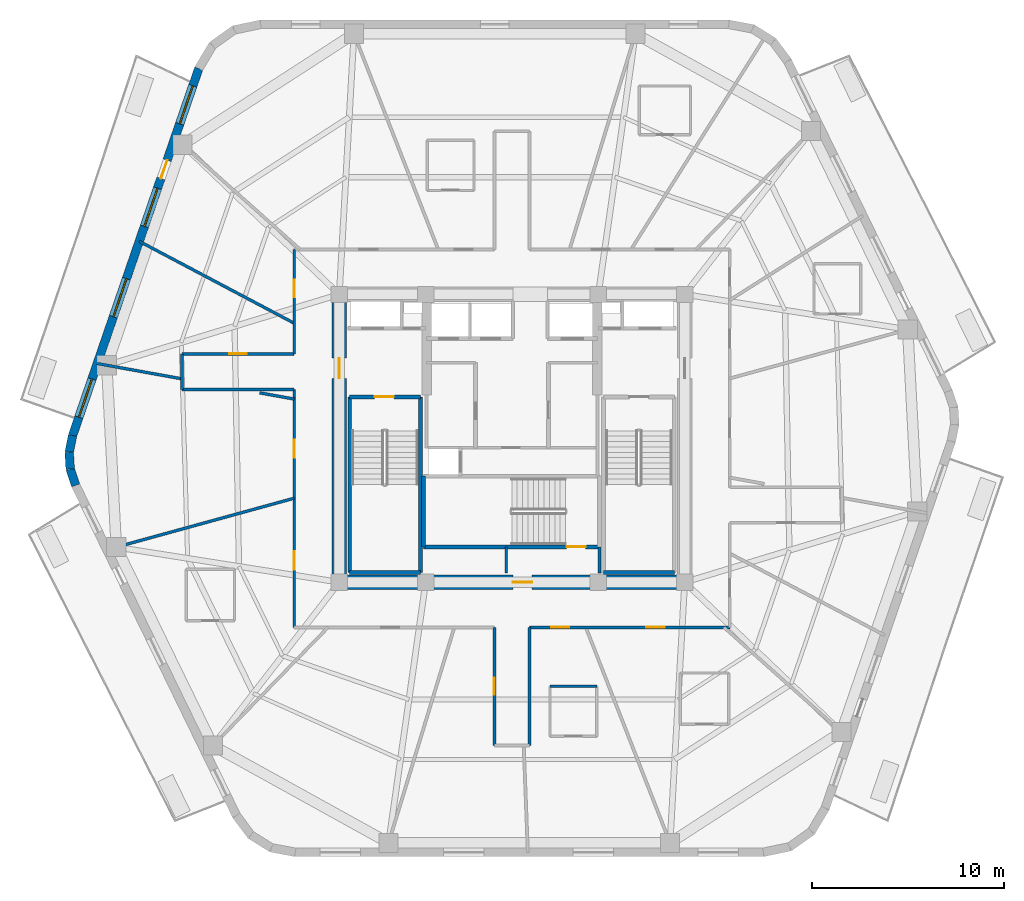
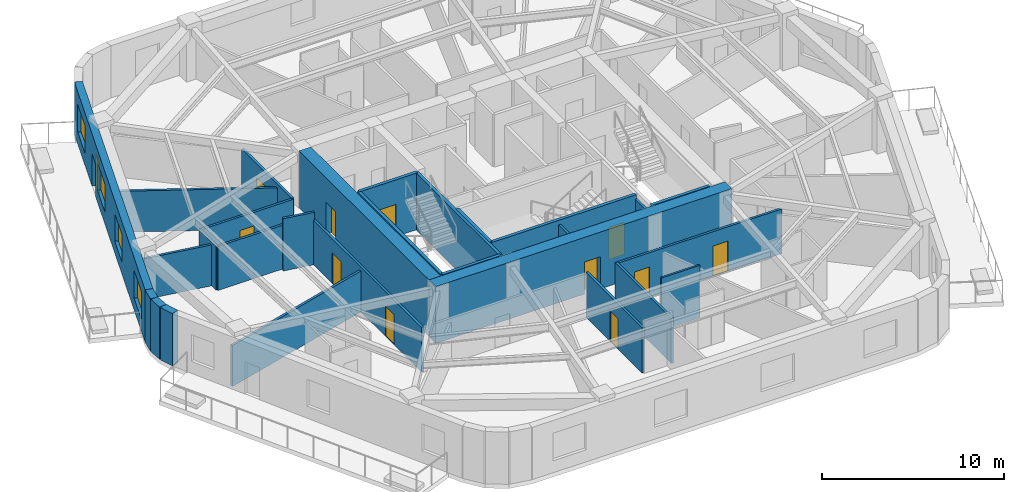
# One storey, part 3 of 9: 28 walls, 12 doors, 4 windows, 16 openings.
"""IFC4 building model written with IfcOpenShell, lengths in metres."""

from ifc_helpers import new_model, si_unit, direction, frame, frame_2d, origin, place, context, subcontext, project, spatial, rectangle, extrude, material, layer, layer_set, type_object, element, fill, save


model = new_model("IFC4")

# Units and contexts
model_context = context("Model", 3, precision=1e-05, world=origin(), true_north=direction((0.0, 1.0)))
body_context = subcontext(model_context, "Body", "Model", "MODEL_VIEW")
ifc_project = project(units=[si_unit("LENGTHUNIT", "METRE"), si_unit("AREAUNIT", "SQUARE_METRE"), si_unit("VOLUMEUNIT", "CUBIC_METRE"), si_unit("PLANEANGLEUNIT", "RADIAN"), si_unit("MASSUNIT", "GRAM", prefix="KILO")], contexts=[model_context])

# Site, building, storey
site_placement = place(None, origin())
site = spatial("IfcSite", under=ifc_project, at=site_placement, CompositionType="ELEMENT")
building_placement = place(site_placement, origin())
building = spatial("IfcBuilding", under=site, at=building_placement, Name="Kilnhurst Terrace Hotel", CompositionType="ELEMENT")
storey_placement = place(building_placement, frame((0.0, 0.0, 233.10009765625)))
storey = spatial("IfcBuildingStorey", under=building, at=storey_placement, Name="L58", CompositionType="ELEMENT", Elevation=233.10009765625)

# Walls
ifc_material_1 = material(Name="Precast concrete C40/50", Category="concrete")
ifc_layer_1 = layer(ifc_material_1, 0.449951171875, Name="Precast concrete C40/50")
ifc_layer_set_1 = layer_set([ifc_layer_1], Name="Precast concrete C40/50")
wall_type_1 = type_object("IfcWallType", Name="WL-BRK-450", PredefinedType="SOLIDWALL", material=ifc_layer_set_1)
wall_1_placement = place(storey_placement, frame((-22.8984375, 0.149658203125, 0.0), z_axis=(0.0, 0.0, 1.0), x_axis=(-0.199055826889, -0.979988151858, 0.0)))
element("IfcWall", 1, at=wall_1_placement, inside=storey, type_object=wall_type_1, Name="L58 Rounded Corner Brick Wall C6.1", PredefinedType="SOLIDWALL", context=body_context, shape_type="SweptSolid", body=[
    extrude(rectangle(XDim=0.89404296875, YDim=0.449951171875, at=frame_2d((0.447021484375, 0.0))), origin(), (0.0, 0.0, 1.0), 3.5),
])
wall_2_placement = place(storey_placement, frame((-23.076416015625, -0.7265625, 0.0), z_axis=(0.0, 0.0, 1.0), x_axis=(0.060805222108, -0.998149650586, 0.0)))
element("IfcWall", 2, at=wall_2_placement, inside=storey, type_object=wall_type_1, Name="L58 Rounded Corner Brick Wall C6.2", PredefinedType="SOLIDWALL", context=body_context, shape_type="SweptSolid", body=[
    extrude(rectangle(XDim=0.87939453125, YDim=0.449951171875, at=frame_2d((0.439697265625, 0.0))), origin(), (0.0, 0.0, 1.0), 3.5),
])
wall_3_placement = place(storey_placement, frame((-23.02294921875, -1.604248046875, 0.0), z_axis=(0.0, 0.0, 1.0), x_axis=(0.316801227695, -0.948491951537, 0.0)))
element("IfcWall", 3, at=wall_3_placement, inside=storey, type_object=wall_type_1, Name="L58 Rounded Corner Brick Wall C6.3", PredefinedType="SOLIDWALL", context=body_context, shape_type="SweptSolid", body=[
    extrude(rectangle(XDim=0.89404296875, YDim=0.449951171875, at=frame_2d((0.447021484375, 0.0))), origin(), (0.0, 0.0, 1.0), 3.5),
])

# Wall, openings, door, windows
wall_4_placement = place(storey_placement, frame((-16.323974609375, 19.275146484375, 0.0), z_axis=(0.0, 0.0, 1.0), x_axis=(-0.325083142304, -0.945685439557, 0.0)))
wall_4 = element("IfcWall", 4, at=wall_4_placement, inside=storey, type_object=wall_type_1, Name="L58 Exterior Brick Facade Wall F5", PredefinedType="SOLIDWALL", context=body_context, shape_type="SweptSolid", body=[
    extrude(rectangle(XDim=20.223876953125, YDim=0.449951171875, at=frame_2d((10.11181640625, 0.0))), origin(), (0.0, 0.0, 1.0), 3.5),
])
opening_1_placement = place(wall_4_placement, frame((5.06201171875, 0.0, 0.0)))
opening_1 = element("IfcOpeningElement", 5, at=opening_1_placement, cuts=wall_4, Name="Opening BD-1000", PredefinedType="OPENING", context=body_context, shape_type="SweptSolid", body=[
    extrude(rectangle(XDim=1.0, YDim=2.14990234375, at=frame_2d((0.5, 1.074951171875))), frame((0.0, 0.23486328125, 0.0), z_axis=(0.0, -1.0, 0.0), x_axis=(1.0, 0.0, 0.0)), (0.0, 0.0, 1.0), 0.469970703125),
])
opening_2_placement = place(wall_4_placement, frame((0.952880859375, 0.0, 0.800048828125)))
opening_2 = element("IfcOpeningElement", 6, at=opening_2_placement, cuts=wall_4, Name="Opening W-04", PredefinedType="OPENING", context=body_context, shape_type="SweptSolid", body=[
    extrude(rectangle(XDim=2.10009765625, YDim=1.85009765625, at=frame_2d((1.050048828125, 0.925048828125))), frame((0.0, 0.23486328125, 0.0), z_axis=(0.0, -1.0, 0.0), x_axis=(1.0, 0.0, 0.0)), (0.0, 0.0, 1.0), 0.469970703125),
])
opening_3_placement = place(wall_4_placement, frame((6.60400390625, 0.0, 0.800048828125)))
opening_3 = element("IfcOpeningElement", 7, at=opening_3_placement, cuts=wall_4, Name="Opening W-04", PredefinedType="OPENING", context=body_context, shape_type="SweptSolid", body=[
    extrude(rectangle(XDim=2.10009765625, YDim=1.85009765625, at=frame_2d((1.050048828125, 0.925048828125))), frame((0.0, 0.23486328125, 0.0), z_axis=(0.0, -1.0, 0.0), x_axis=(1.0, 0.0, 0.0)), (0.0, 0.0, 1.0), 0.469970703125),
])
opening_4_placement = place(wall_4_placement, frame((11.5849609375, 0.0, 0.800048828125)))
opening_4 = element("IfcOpeningElement", 8, at=opening_4_placement, cuts=wall_4, Name="Opening W-04", PredefinedType="OPENING", context=body_context, shape_type="SweptSolid", body=[
    extrude(rectangle(XDim=2.10009765625, YDim=1.85009765625, at=frame_2d((1.050048828125, 0.925048828125))), frame((0.0, 0.23486328125, 0.0), z_axis=(0.0, -1.0, 0.0), x_axis=(1.0, 0.0, 0.0)), (0.0, 0.0, 1.0), 0.469970703125),
])
opening_5_placement = place(wall_4_placement, frame((17.117919921875, 0.0, 0.800048828125)))
opening_5 = element("IfcOpeningElement", 9, at=opening_5_placement, cuts=wall_4, Name="Opening W-04", PredefinedType="OPENING", context=body_context, shape_type="SweptSolid", body=[
    extrude(rectangle(XDim=2.10009765625, YDim=1.85009765625, at=frame_2d((1.050048828125, 0.925048828125))), frame((0.0, 0.23486328125, 0.0), z_axis=(0.0, -1.0, 0.0), x_axis=(1.0, 0.0, 0.0)), (0.0, 0.0, 1.0), 0.469970703125),
])
ifc_material_2 = material(Name="Thermally Broken Bronze Aluminium Alloy 6063-T6 and Laminated Glass", Category="aluminium")
door_type_1 = type_object("IfcDoorType", Name="DR-EXT-BAL-1000", OperationType="NOTDEFINED", PredefinedType="DOOR", material=ifc_material_2)
door_1_placement = place(opening_1_placement, origin())
door_1 = element("IfcDoor", 10, at=door_1_placement, inside=storey, type_object=door_type_1, Name="L58 Planted Balcony Door BAL-L2A", OperationType="SINGLE_SWING_LEFT", OverallHeight=2.14990234375, OverallWidth=1.0, PredefinedType="DOOR", context=body_context, shape_type="SweptSolid", body=[
    extrude(rectangle(XDim=1.0, YDim=2.14990234375, at=frame_2d((0.5, 1.074951171875))), frame((0.0, 0.02490234375, 0.0), z_axis=(0.0, -1.0, 0.0), x_axis=(1.0, 0.0, 0.0)), (0.0, 0.0, 1.0), 0.050048828125),
])
fill(opening_1, door_1)
ifc_material_3 = material(Name="Thermally Broken Bronze Aluminium Alloy 6063-T6 and Low-E Glass", Category="aluminium")
window_type = type_object("IfcWindowType", Name="WIN-2100X1850", PartitioningType="SINGLE_PANEL", PredefinedType="WINDOW", material=ifc_material_3)
window_1_placement = place(opening_2_placement, origin())
window_1 = element("IfcWindow", 11, at=window_1_placement, inside=storey, type_object=window_type, Name="L58 Deep-Set Masonry Window F5.1", OverallHeight=1.85009765625, OverallWidth=2.10009765625, PartitioningType="SINGLE_PANEL", PredefinedType="WINDOW", context=body_context, shape_type="SweptSolid", body=[
    extrude(rectangle(XDim=2.10009765625, YDim=1.85009765625, at=frame_2d((1.050048828125, 0.925048828125))), frame((0.0, 0.030029296875, 0.0), z_axis=(0.0, -1.0, 0.0), x_axis=(1.0, 0.0, 0.0)), (0.0, 0.0, 1.0), 0.06005859375),
])
fill(opening_2, window_1)
window_2_placement = place(opening_3_placement, origin())
window_2 = element("IfcWindow", 12, at=window_2_placement, inside=storey, type_object=window_type, Name="L58 Deep-Set Masonry Window F5.2", OverallHeight=1.85009765625, OverallWidth=2.10009765625, PartitioningType="SINGLE_PANEL", PredefinedType="WINDOW", context=body_context, shape_type="SweptSolid", body=[
    extrude(rectangle(XDim=2.10009765625, YDim=1.85009765625, at=frame_2d((1.050048828125, 0.925048828125))), frame((0.0, 0.030029296875, 0.0), z_axis=(0.0, -1.0, 0.0), x_axis=(1.0, 0.0, 0.0)), (0.0, 0.0, 1.0), 0.06005859375),
])
fill(opening_3, window_2)
window_3_placement = place(opening_4_placement, origin())
window_3 = element("IfcWindow", 13, at=window_3_placement, inside=storey, type_object=window_type, Name="L58 Deep-Set Masonry Window F5.3", OverallHeight=1.85009765625, OverallWidth=2.10009765625, PartitioningType="SINGLE_PANEL", PredefinedType="WINDOW", context=body_context, shape_type="SweptSolid", body=[
    extrude(rectangle(XDim=2.10009765625, YDim=1.85009765625, at=frame_2d((1.050048828125, 0.925048828125))), frame((0.0, 0.030029296875, 0.0), z_axis=(0.0, -1.0, 0.0), x_axis=(1.0, 0.0, 0.0)), (0.0, 0.0, 1.0), 0.06005859375),
])
fill(opening_4, window_3)
window_4_placement = place(opening_5_placement, origin())
window_4 = element("IfcWindow", 14, at=window_4_placement, inside=storey, type_object=window_type, Name="L58 Deep-Set Masonry Window F5.4", OverallHeight=1.85009765625, OverallWidth=2.10009765625, PartitioningType="SINGLE_PANEL", PredefinedType="WINDOW", context=body_context, shape_type="SweptSolid", body=[
    extrude(rectangle(XDim=2.10009765625, YDim=1.85009765625, at=frame_2d((1.050048828125, 0.925048828125))), frame((0.0, 0.030029296875, 0.0), z_axis=(0.0, -1.0, 0.0), x_axis=(1.0, 0.0, 0.0)), (0.0, 0.0, 1.0), 0.06005859375),
])
fill(opening_5, window_4)

# Wall, openings, doors
ifc_material_4 = material(Name="Acoustic Double-Gypsum Corridor Partition Assembly")
ifc_layer_2 = layer(ifc_material_4, 0.14990234375, Name="Acoustic Double-Gypsum Corridor Partition Assembly")
ifc_layer_set_2 = layer_set([ifc_layer_2], Name="Acoustic Double-Gypsum Corridor Partition Assembly")
wall_type_2 = type_object("IfcWallType", Name="WL-COR-150", PredefinedType="PARTITIONING", material=ifc_layer_set_2)
wall_5_placement = place(storey_placement, frame((-11.35009765625, -9.85009765625, 0.0), z_axis=(0.0, 0.0, 1.0), x_axis=(0.0, 1.0, 0.0)))
wall_5 = element("IfcWall", 15, at=wall_5_placement, inside=storey, type_object=wall_type_2, Name="L58 Interior Wall WL-L58-COR-01", PredefinedType="PARTITIONING", context=body_context, shape_type="SweptSolid", body=[
    extrude(rectangle(XDim=12.400146484375, YDim=0.14990234375, at=frame_2d((6.2001953125, 0.0))), origin(), (0.0, 0.0, 1.0), 2.989990234375),
])
opening_6_placement = place(wall_5_placement, frame((8.8349609375, 0.0, 0.0)))
opening_6 = element("IfcOpeningElement", 16, at=opening_6_placement, cuts=wall_5, Name="Opening D-60B", PredefinedType="OPENING", context=body_context, shape_type="SweptSolid", body=[
    extrude(rectangle(XDim=0.949951171875, YDim=2.030029296875, at=frame_2d((0.47509765625, 1.01513671875))), frame((0.0, 0.0849609375, 0.0), z_axis=(0.0, -1.0, 0.0), x_axis=(1.0, 0.0, 0.0)), (0.0, 0.0, 1.0), 0.169921875),
])
opening_7_placement = place(wall_5_placement, frame((3.010009765625, 0.0, 0.0)))
opening_7 = element("IfcOpeningElement", 17, at=opening_7_placement, cuts=wall_5, Name="Opening D-60B", PredefinedType="OPENING", context=body_context, shape_type="SweptSolid", body=[
    extrude(rectangle(XDim=0.949951171875, YDim=2.030029296875, at=frame_2d((0.47509765625, 1.01513671875))), frame((0.0, 0.0849609375, 0.0), z_axis=(0.0, -1.0, 0.0), x_axis=(1.0, 0.0, 0.0)), (0.0, 0.0, 1.0), 0.169921875),
])
ifc_material_5 = material(Name="Acoustic Walnut Veneer Solid-Core Fire Door")
door_type_2 = type_object("IfcDoorType", Name="DR-FD60-950", OperationType="NOTDEFINED", PredefinedType="DOOR", material=ifc_material_5)
door_2_placement = place(opening_6_placement, origin())
door_2 = element("IfcDoor", 18, at=door_2_placement, inside=storey, type_object=door_type_2, Name="L58 Private Dining Room Door", OperationType="SINGLE_SWING_LEFT", OverallHeight=2.030029296875, OverallWidth=0.949951171875, PredefinedType="DOOR", context=body_context, shape_type="SweptSolid", body=[
    extrude(rectangle(XDim=0.949951171875, YDim=2.030029296875, at=frame_2d((0.47509765625, 1.01513671875))), frame((0.0, 0.02490234375, 0.0), z_axis=(0.0, -1.0, 0.0), x_axis=(1.0, 0.0, 0.0)), (0.0, 0.0, 1.0), 0.050048828125),
])
fill(opening_6, door_2)
door_3_placement = place(opening_7_placement, origin())
door_3 = element("IfcDoor", 19, at=door_3_placement, inside=storey, type_object=door_type_2, Name="L58 Executive Suite Entry Door 10", OperationType="SINGLE_SWING_RIGHT", OverallHeight=2.030029296875, OverallWidth=0.949951171875, PredefinedType="DOOR", context=body_context, shape_type="SweptSolid", body=[
    extrude(rectangle(XDim=0.949951171875, YDim=2.030029296875, at=frame_2d((0.47509765625, 1.01513671875))), frame((0.0, 0.02490234375, 0.0), z_axis=(0.0, -1.0, 0.0), x_axis=(1.0, 0.0, 0.0)), (0.0, 0.0, 1.0), 0.050048828125),
])
fill(opening_7, door_3)

# Walls
wall_6_placement = place(storey_placement, frame((-11.35009765625, 2.550048828125, 0.0), z_axis=(0.0, 0.0, 1.0), x_axis=(-1.0, 0.0, 0.0)))
element("IfcWall", 20, at=wall_6_placement, inside=storey, type_object=wall_type_2, Name="L58 Interior Wall WL-L58-COR-02", PredefinedType="PARTITIONING", context=body_context, shape_type="SweptSolid", body=[
    extrude(rectangle(XDim=5.849853515625, YDim=0.14990234375, at=frame_2d((2.9248046875, 0.0))), origin(), (0.0, 0.0, 1.0), 2.940185546875),
])
wall_7_placement = place(storey_placement, frame((-17.199951171875, 2.550048828125, 0.0), z_axis=(0.0, 0.0, 1.0), x_axis=(0.0, 1.0, 0.0)))
element("IfcWall", 21, at=wall_7_placement, inside=storey, type_object=wall_type_2, Name="L58 Interior Wall WL-L58-COR-03", PredefinedType="PARTITIONING", context=body_context, shape_type="SweptSolid", body=[
    extrude(rectangle(XDim=1.849853515625, YDim=0.14990234375, at=frame_2d((0.9248046875, 0.0))), origin(), (0.0, 0.0, 1.0), 2.940185546875),
])

# Wall, opening, door
wall_8_placement = place(storey_placement, frame((-17.199951171875, 4.39990234375, 0.0), z_axis=(0.0, 0.0, 1.0), x_axis=(1.0, 0.0, 0.0)))
wall_8 = element("IfcWall", 22, at=wall_8_placement, inside=storey, type_object=wall_type_2, Name="L58 Interior Wall WL-L58-COR-04", PredefinedType="PARTITIONING", context=body_context, shape_type="SweptSolid", body=[
    extrude(rectangle(XDim=5.849853515625, YDim=0.14990234375, at=frame_2d((2.9248046875, 0.0))), origin(), (0.0, 0.0, 1.0), 2.940185546875),
])
opening_8_placement = place(wall_8_placement, frame((2.47509765625, 0.0, 0.0)))
opening_8 = element("IfcOpeningElement", 23, at=opening_8_placement, cuts=wall_8, Name="Opening D-60C", PredefinedType="OPENING", context=body_context, shape_type="SweptSolid", body=[
    extrude(rectangle(XDim=0.89990234375, YDim=2.030029296875, at=frame_2d((0.449951171875, 1.01513671875))), frame((0.0, 0.0849609375, 0.0), z_axis=(0.0, -1.0, 0.0), x_axis=(1.0, 0.0, 0.0)), (0.0, 0.0, 1.0), 0.169921875),
])
ifc_material_6 = material(Name="Painted Solid-Core Service Fire Door")
door_type_3 = type_object("IfcDoorType", Name="DR-FD60-900", OperationType="NOTDEFINED", PredefinedType="DOOR", material=ifc_material_6)
door_4_placement = place(opening_8_placement, origin())
door_4 = element("IfcDoor", 24, at=door_4_placement, inside=storey, type_object=door_type_3, Name="L58 Private Meeting Salon Door 8", OperationType="SINGLE_SWING_RIGHT", OverallHeight=2.030029296875, OverallWidth=0.89990234375, PredefinedType="DOOR", context=body_context, shape_type="SweptSolid", body=[
    extrude(rectangle(XDim=0.89990234375, YDim=2.030029296875, at=frame_2d((0.449951171875, 1.01513671875))), frame((0.0, 0.02490234375, 0.0), z_axis=(0.0, -1.0, 0.0), x_axis=(1.0, 0.0, 0.0)), (0.0, 0.0, 1.0), 0.050048828125),
])
fill(opening_8, door_4)

wall_9_placement = place(storey_placement, frame((-11.35009765625, 4.39990234375, 0.0), z_axis=(0.0, 0.0, 1.0), x_axis=(0.0, 1.0, 0.0)))
wall_9 = element("IfcWall", 25, at=wall_9_placement, inside=storey, type_object=wall_type_2, Name="L58 Interior Wall WL-L58-COR-05", PredefinedType="PARTITIONING", context=body_context, shape_type="SweptSolid", body=[
    extrude(rectangle(XDim=5.4501953125, YDim=0.14990234375, at=frame_2d((2.72509765625, 0.0))), origin(), (0.0, 0.0, 1.0), 2.989990234375),
])
opening_9_placement = place(wall_9_placement, frame((2.955078125, 0.0, 0.0)))
opening_9 = element("IfcOpeningElement", 26, at=opening_9_placement, cuts=wall_9, Name="Opening D-60C", PredefinedType="OPENING", context=body_context, shape_type="SweptSolid", body=[
    extrude(rectangle(XDim=0.89990234375, YDim=2.030029296875, at=frame_2d((0.449951171875, 1.01513671875))), frame((0.0, 0.0849609375, 0.0), z_axis=(0.0, -1.0, 0.0), x_axis=(1.0, 0.0, 0.0)), (0.0, 0.0, 1.0), 0.169921875),
])
door_5_placement = place(opening_9_placement, origin())
door_5 = element("IfcDoor", 27, at=door_5_placement, inside=storey, type_object=door_type_3, Name="L58 Botanical Reading Lounge Door 7", OperationType="SINGLE_SWING_LEFT", OverallHeight=2.030029296875, OverallWidth=0.89990234375, PredefinedType="DOOR", context=body_context, shape_type="SweptSolid", body=[
    extrude(rectangle(XDim=0.89990234375, YDim=2.030029296875, at=frame_2d((0.449951171875, 1.01513671875))), frame((0.0, 0.02490234375, 0.0), z_axis=(0.0, -1.0, 0.0), x_axis=(1.0, 0.0, 0.0)), (0.0, 0.0, 1.0), 0.050048828125),
])
fill(opening_9, door_5)

# Wall, openings, doors
wall_10_placement = place(storey_placement, frame((11.35009765625, -9.85009765625, 0.0), z_axis=(0.0, 0.0, 1.0), x_axis=(-1.0, 0.0, 0.0)))
wall_10 = element("IfcWall", 28, at=wall_10_placement, inside=storey, type_object=wall_type_2, Name="L58 Interior Wall WL-L58-COR-16", PredefinedType="PARTITIONING", context=body_context, shape_type="SweptSolid", body=[
    extrude(rectangle(XDim=10.43017578125, YDim=0.14990234375, at=frame_2d((5.215087890625, 0.0))), origin(), (0.0, 0.0, 1.0), 2.989990234375),
])
opening_10_placement = place(wall_10_placement, frame((8.362060546875, 0.0, 0.0)))
opening_10 = element("IfcOpeningElement", 29, at=opening_10_placement, cuts=wall_10, Name="Opening D-60B", PredefinedType="OPENING", context=body_context, shape_type="SweptSolid", body=[
    extrude(rectangle(XDim=0.949951171875, YDim=2.030029296875, at=frame_2d((0.47509765625, 1.01513671875))), frame((0.0, 0.0849609375, 0.0), z_axis=(0.0, -1.0, 0.0), x_axis=(1.0, 0.0, 0.0)), (0.0, 0.0, 1.0), 0.169921875),
])
opening_11_placement = place(wall_10_placement, frame((3.39599609375, 0.0, 0.0)))
opening_11 = element("IfcOpeningElement", 30, at=opening_11_placement, cuts=wall_10, Name="Opening D-60B", PredefinedType="OPENING", context=body_context, shape_type="SweptSolid", body=[
    extrude(rectangle(XDim=0.949951171875, YDim=2.030029296875, at=frame_2d((0.47509765625, 1.01513671875))), frame((0.0, 0.0849609375, 0.0), z_axis=(0.0, -1.0, 0.0), x_axis=(1.0, 0.0, 0.0)), (0.0, 0.0, 1.0), 0.169921875),
])
door_6_placement = place(opening_10_placement, origin())
door_6 = element("IfcDoor", 31, at=door_6_placement, inside=storey, type_object=door_type_2, Name="L58 Guest Room Entry Door 13", OperationType="SINGLE_SWING_LEFT", OverallHeight=2.030029296875, OverallWidth=0.949951171875, PredefinedType="DOOR", context=body_context, shape_type="SweptSolid", body=[
    extrude(rectangle(XDim=0.949951171875, YDim=2.030029296875, at=frame_2d((0.47509765625, 1.01513671875))), frame((0.0, 0.02490234375, 0.0), z_axis=(0.0, -1.0, 0.0), x_axis=(1.0, 0.0, 0.0)), (0.0, 0.0, 1.0), 0.050048828125),
])
fill(opening_10, door_6)
door_7_placement = place(opening_11_placement, origin())
door_7 = element("IfcDoor", 32, at=door_7_placement, inside=storey, type_object=door_type_2, Name="L58 Executive Suite Entry Door 14", OperationType="SINGLE_SWING_RIGHT", OverallHeight=2.030029296875, OverallWidth=0.949951171875, PredefinedType="DOOR", context=body_context, shape_type="SweptSolid", body=[
    extrude(rectangle(XDim=0.949951171875, YDim=2.030029296875, at=frame_2d((0.47509765625, 1.01513671875))), frame((0.0, 0.02490234375, 0.0), z_axis=(0.0, -1.0, 0.0), x_axis=(1.0, 0.0, 0.0)), (0.0, 0.0, 1.0), 0.050048828125),
])
fill(opening_11, door_7)

# Wall
wall_11_placement = place(storey_placement, frame((0.919921875, -9.85009765625, 0.0), z_axis=(0.0, 0.0, 1.0), x_axis=(0.0, -1.0, 0.0)))
element("IfcWall", 33, at=wall_11_placement, inside=storey, type_object=wall_type_2, Name="L58 Interior Wall WL-L58-COR-17", PredefinedType="PARTITIONING", context=body_context, shape_type="SweptSolid", body=[
    extrude(rectangle(XDim=6.14990234375, YDim=0.14990234375, at=frame_2d((3.074951171875, 0.0))), origin(), (0.0, 0.0, 1.0), 3.0263671875),
])

# Wall, opening, door
wall_12_placement = place(storey_placement, frame((-0.919921875, -16.0, 0.0), z_axis=(0.0, 0.0, 1.0), x_axis=(0.0, 1.0, 0.0)))
wall_12 = element("IfcWall", 34, at=wall_12_placement, inside=storey, type_object=wall_type_2, Name="L58 Interior Wall WL-L58-COR-19", PredefinedType="PARTITIONING", context=body_context, shape_type="SweptSolid", body=[
    extrude(rectangle(XDim=6.14990234375, YDim=0.14990234375, at=frame_2d((3.074951171875, 0.0))), origin(), (0.0, 0.0, 1.0), 3.0263671875),
])
opening_12_placement = place(wall_12_placement, frame((2.625, 0.0, 0.0)))
opening_12 = element("IfcOpeningElement", 35, at=opening_12_placement, cuts=wall_12, Name="Opening D-60C", PredefinedType="OPENING", context=body_context, shape_type="SweptSolid", body=[
    extrude(rectangle(XDim=0.89990234375, YDim=2.030029296875, at=frame_2d((0.449951171875, 1.01513671875))), frame((0.0, 0.0849609375, 0.0), z_axis=(0.0, -1.0, 0.0), x_axis=(1.0, 0.0, 0.0)), (0.0, 0.0, 1.0), 0.169921875),
])
door_8_placement = place(opening_12_placement, origin())
door_8 = element("IfcDoor", 36, at=door_8_placement, inside=storey, type_object=door_type_3, Name="L58 Wellness Consultation Room Door 12", OperationType="SINGLE_SWING_RIGHT", OverallHeight=2.030029296875, OverallWidth=0.89990234375, PredefinedType="DOOR", context=body_context, shape_type="SweptSolid", body=[
    extrude(rectangle(XDim=0.89990234375, YDim=2.030029296875, at=frame_2d((0.449951171875, 1.01513671875))), frame((0.0, 0.02490234375, 0.0), z_axis=(0.0, -1.0, 0.0), x_axis=(1.0, 0.0, 0.0)), (0.0, 0.0, 1.0), 0.050048828125),
])
fill(opening_12, door_8)

ifc_material_7 = material(Name="Concrete C60/75", Category="concrete")
ifc_layer_3 = layer(ifc_material_7, 0.75, Name="Concrete C60/75")
ifc_layer_set_3 = layer_set([ifc_layer_3], Name="Concrete C60/75")
wall_type_3 = type_object("IfcWallType", Name="WL-CORE-750", PredefinedType="SHEAR", material=ifc_layer_set_3)
wall_13_placement = place(storey_placement, frame((-9.375, -7.5, 0.0), z_axis=(0.0, 0.0, 1.0), x_axis=(1.0, 0.0, 0.0)))
wall_13 = element("IfcWall", 37, at=wall_13_placement, inside=storey, type_object=wall_type_3, Name="L58 Core South Shear Wall", PredefinedType="SHEAR", context=body_context, shape_type="SweptSolid", body=[
    extrude(rectangle(XDim=18.75, YDim=0.75, at=frame_2d((9.375, 0.0))), origin(), (0.0, 0.0, 1.0), 3.7998046875),
])
opening_13_placement = place(wall_13_placement, frame((9.425048828125, 0.0, 0.0)))
opening_13 = element("IfcOpeningElement", 38, at=opening_13_placement, cuts=wall_13, Name="Opening D-90B", PredefinedType="OPENING", context=body_context, shape_type="SweptSolid", body=[
    extrude(rectangle(XDim=1.0, YDim=2.14990234375, at=frame_2d((0.5, 1.074951171875))), frame((0.0, 0.385009765625, 0.0), z_axis=(0.0, -1.0, 0.0), x_axis=(1.0, 0.0, 0.0)), (0.0, 0.0, 1.0), 0.77001953125),
])
ifc_material_8 = material(Name="Painted Hollow Metal Steel ASTM A36 Fire Door", Category="steel")
door_type_4 = type_object("IfcDoorType", Name="DR-FD90-1000", OperationType="NOTDEFINED", PredefinedType="DOOR", material=ifc_material_8)
door_9_placement = place(opening_13_placement, origin())
door_9 = element("IfcDoor", 39, at=door_9_placement, inside=storey, type_object=door_type_4, Name="L58 Stair ST-3 Corridor Door", OperationType="SINGLE_SWING_RIGHT", OverallHeight=2.14990234375, OverallWidth=1.0, PredefinedType="DOOR", context=body_context, shape_type="SweptSolid", body=[
    extrude(rectangle(XDim=1.0, YDim=2.14990234375, at=frame_2d((0.5, 1.074951171875))), frame((0.0, 0.02490234375, 0.0), z_axis=(0.0, -1.0, 0.0), x_axis=(1.0, 0.0, 0.0)), (0.0, 0.0, 1.0), 0.050048828125),
])
fill(opening_13, door_9)

wall_14_placement = place(storey_placement, frame((-9.0, -7.125, 0.0), z_axis=(0.0, 0.0, 1.0), x_axis=(0.0, 1.0, 0.0)))
wall_14 = element("IfcWall", 40, at=wall_14_placement, inside=storey, type_object=wall_type_3, Name="L58 Core West Shear Wall", PredefinedType="SHEAR", context=body_context, shape_type="SweptSolid", body=[
    extrude(rectangle(XDim=14.25, YDim=0.75, at=frame_2d((7.125, 0.0))), origin(), (0.0, 0.0, 1.0), 3.7998046875),
])
opening_14_placement = place(wall_14_placement, frame((10.25, 0.0, 0.0)))
opening_14 = element("IfcOpeningElement", 41, at=opening_14_placement, cuts=wall_14, Name="Opening D-90A", PredefinedType="OPENING", context=body_context, shape_type="SweptSolid", body=[
    extrude(rectangle(XDim=1.050048828125, YDim=2.14990234375, at=frame_2d((0.52490234375, 1.074951171875))), frame((0.0, 0.385009765625, 0.0), z_axis=(0.0, -1.0, 0.0), x_axis=(1.0, 0.0, 0.0)), (0.0, 0.0, 1.0), 0.77001953125),
])
door_type_5 = type_object("IfcDoorType", Name="DR-FD90-1050", OperationType="NOTDEFINED", PredefinedType="DOOR", material=ifc_material_8)
door_10_placement = place(opening_14_placement, origin())
door_10 = element("IfcDoor", 42, at=door_10_placement, inside=storey, type_object=door_type_5, Name="L58 West Firefighting Lobby Door", OperationType="SINGLE_SWING_RIGHT", OverallHeight=2.14990234375, OverallWidth=1.050048828125, PredefinedType="DOOR", context=body_context, shape_type="SweptSolid", body=[
    extrude(rectangle(XDim=1.050048828125, YDim=2.14990234375, at=frame_2d((0.52490234375, 1.074951171875))), frame((0.0, 0.02490234375, 0.0), z_axis=(0.0, -1.0, 0.0), x_axis=(1.0, 0.0, 0.0)), (0.0, 0.0, 1.0), 0.050048828125),
])
fill(opening_14, door_10)

# Walls
ifc_material_9 = material(Name="STC-58 Acoustic Twin-Frame Guestroom Demising Partition")
ifc_layer_4 = layer(ifc_material_9, 0.14990234375, Name="STC-58 Acoustic Twin-Frame Guestroom Demising Partition")
ifc_layer_set_4 = layer_set([ifc_layer_4], Name="STC-58 Acoustic Twin-Frame Guestroom Demising Partition")
wall_type_4 = type_object("IfcWallType", Name="WL-DEM-150", PredefinedType="PARTITIONING", material=ifc_layer_set_4)
wall_15_placement = place(storey_placement, frame((-11.35009765625, 5.9990234375, 0.0), z_axis=(0.0, 0.0, 1.0), x_axis=(-0.884112301724, 0.467274478161, 0.0)))
element("IfcWall", 43, at=wall_15_placement, inside=storey, type_object=wall_type_4, Name="L58 Interior Wall WL-L58-DEM-MID05-08-1", PredefinedType="PARTITIONING", context=body_context, shape_type="SweptSolid", body=[
    extrude(rectangle(XDim=9.129150390625, YDim=0.14990234375, at=frame_2d((4.564453125, 0.0))), origin(), (0.0, 0.0, 1.0), 2.739990234375),
])
wall_16_placement = place(storey_placement, frame((-11.35009765625, 2.046142578125, 0.0), z_axis=(0.0, 0.0, 1.0), x_axis=(-0.984127783205, 0.177461281195, 0.0)))
element("IfcWall", 44, at=wall_16_placement, inside=storey, type_object=wall_type_4, Name="L58 Interior Wall WL-L58-DEM-COL06-09-1", PredefinedType="PARTITIONING", context=body_context, shape_type="SweptSolid", body=[
    extrude(rectangle(XDim=1.82568359375, YDim=0.14990234375, at=frame_2d((0.912841796875, 0.0))), origin(), (0.0, 0.0, 1.0), 3.5),
])
wall_17_placement = place(storey_placement, frame((-17.199951171875, 3.1005859375, 0.0), z_axis=(0.0, 0.0, 1.0), x_axis=(-0.98413465883, 0.177423147559, 0.0)))
element("IfcWall", 45, at=wall_17_placement, inside=storey, type_object=wall_type_4, Name="L58 Interior Wall WL-L58-DEM-COL06-09-2", PredefinedType="PARTITIONING", context=body_context, shape_type="SweptSolid", body=[
    extrude(rectangle(XDim=4.481689453125, YDim=0.14990234375, at=frame_2d((2.24072265625, 0.0))), origin(), (0.0, 0.0, 1.0), 2.739990234375),
])
wall_18_placement = place(storey_placement, frame((-11.35009765625, -3.12060546875, 0.0), z_axis=(0.0, 0.0, 1.0), x_axis=(-0.964212793822, -0.265129568758, 0.0)))
element("IfcWall", 46, at=wall_18_placement, inside=storey, type_object=wall_type_4, Name="L58 Interior Wall WL-L58-DEM-COL07-10-1", PredefinedType="PARTITIONING", context=body_context, shape_type="SweptSolid", body=[
    extrude(rectangle(XDim=10.119873046875, YDim=0.14990234375, at=frame_2d((5.06005859375, 0.0))), origin(), (0.0, 0.0, 1.0), 2.739990234375),
])
ifc_material_10 = material(Name="120 mm Moisture-Resistant Tile-Backed Bathroom Partition")
ifc_layer_5 = layer(ifc_material_10, 0.1201171875, Name="120 mm Moisture-Resistant Tile-Backed Bathroom Partition")
ifc_layer_set_5 = layer_set([ifc_layer_5], Name="120 mm Moisture-Resistant Tile-Backed Bathroom Partition")
wall_type_5 = type_object("IfcWallType", Name="WL-PART-120", PredefinedType="PARTITIONING", material=ifc_layer_set_5)
wall_19_placement = place(storey_placement, frame((4.41796875, -12.919921875, 0.0), z_axis=(0.0, 0.0, 1.0), x_axis=(-1.0, 0.0, 0.0)))
element("IfcWall", 47, at=wall_19_placement, inside=storey, type_object=wall_type_5, Name="L58 Interior Wall WL-L58-BTH-13-3", PredefinedType="PARTITIONING", context=body_context, shape_type="SweptSolid", body=[
    extrude(rectangle(XDim=2.43994140625, YDim=0.1201171875, at=frame_2d((1.219970703125, 0.0))), origin(), (0.0, 0.0, 1.0), 3.5),
])
ifc_material_11 = material(Name="Fire-Rated Gypsum Shaftliner Assembly")
ifc_layer_6 = layer(ifc_material_11, 0.14990234375, Name="Fire-Rated Gypsum Shaftliner Assembly")
ifc_layer_set_6 = layer_set([ifc_layer_6], Name="Fire-Rated Gypsum Shaftliner Assembly")
wall_type_6 = type_object("IfcWallType", Name="WL-SHAFT-150", PredefinedType="PARTITIONING", material=ifc_layer_set_6)
for number, where, z_axis, x_axis, name in (
    (48, (-0.300048828125, -7.02001953125, 0.0), (0.0, 0.0, 1.0), (0.0, 1.0, 0.0), "L58 Interior Wall WL-L58-ST3-PSGW"),
    (49, (4.55810546875, -7.02001953125, 0.0), (0.0, 0.0, 1.0), (0.0, 1.0, 0.0), "L58 Interior Wall WL-L58-ST3-PSGE"),
):
    element("IfcWall", number, at=place(storey_placement, frame(where, z_axis=z_axis, x_axis=x_axis)), inside=storey, type_object=wall_type_6, Name=name, PredefinedType="PARTITIONING", context=body_context, shape_type="SweptSolid", body=[
        extrude(rectangle(XDim=1.362060546875, YDim=0.14990234375, at=frame_2d((0.68115234375, 0.0))), origin(), (0.0, 0.0, 1.0), 3.5),
    ])
ifc_material_12 = material(Name="Concrete C50/60", Category="concrete")
ifc_layer_7 = layer(ifc_material_12, 0.199951171875, Name="Concrete C50/60")
ifc_layer_set_7 = layer_set([ifc_layer_7], Name="Concrete C50/60")
wall_type_7 = type_object("IfcWallType", Name="WL-STAIR-RC-200", PredefinedType="SHEAR", material=ifc_layer_set_7)
for number, where, z_axis, x_axis, name in (
    (50, (-8.4580078125, -6.985107421875, 0.0), (0.0, 0.0, 1.0), (0.0, 1.0, 0.0), "L58 Structural Stair Shaft Wall WL-L58-ST1-W"),
    (51, (-4.77197265625, -6.985107421875, 0.0), (0.0, 0.0, 1.0), (0.0, 1.0, 0.0), "L58 Structural Stair Shaft Wall WL-L58-ST1-E"),
):
    element("IfcWall", number, at=place(storey_placement, frame(where, z_axis=z_axis, x_axis=x_axis)), inside=storey, type_object=wall_type_7, Name=name, PredefinedType="SHEAR", context=body_context, shape_type="SweptSolid", body=[
        extrude(rectangle(XDim=9.14306640625, YDim=0.199951171875, at=frame_2d((4.571533203125, 0.0))), origin(), (0.0, 0.0, 1.0), 3.7998046875),
    ])
wall_20_placement = place(storey_placement, frame((-8.4580078125, -6.985107421875, 0.0), z_axis=(0.0, 0.0, 1.0), x_axis=(1.0, 0.0, 0.0)))
element("IfcWall", 52, at=wall_20_placement, inside=storey, type_object=wall_type_7, Name="L58 Structural Stair Shaft Wall WL-L58-ST1-S", PredefinedType="SHEAR", context=body_context, shape_type="SweptSolid", body=[
    extrude(rectangle(XDim=3.68603515625, YDim=0.199951171875, at=frame_2d((1.843017578125, 0.0))), origin(), (0.0, 0.0, 1.0), 3.7998046875),
])

# Wall, opening, door
wall_21_placement = place(storey_placement, frame((-8.4580078125, 2.157958984375, 0.0), z_axis=(0.0, 0.0, 1.0), x_axis=(1.0, 0.0, 0.0)))
wall_21 = element("IfcWall", 53, at=wall_21_placement, inside=storey, type_object=wall_type_7, Name="L58 Structural Stair Shaft Wall WL-L58-ST1-N", PredefinedType="SHEAR", context=body_context, shape_type="SweptSolid", body=[
    extrude(rectangle(XDim=3.68603515625, YDim=0.199951171875, at=frame_2d((1.843017578125, 0.0))), origin(), (0.0, 0.0, 1.0), 3.7998046875),
])
opening_15_placement = place(wall_21_placement, frame((1.300048828125, 0.0, 0.0)))
opening_15 = element("IfcOpeningElement", 54, at=opening_15_placement, cuts=wall_21, Name="Opening D-90B", PredefinedType="OPENING", context=body_context, shape_type="SweptSolid", body=[
    extrude(rectangle(XDim=1.0, YDim=2.14990234375, at=frame_2d((0.5, 1.074951171875))), frame((0.0, 0.10986328125, 0.0), z_axis=(0.0, -1.0, 0.0), x_axis=(1.0, 0.0, 0.0)), (0.0, 0.0, 1.0), 0.219970703125),
])
door_11_placement = place(opening_15_placement, origin())
door_11 = element("IfcDoor", 55, at=door_11_placement, inside=storey, type_object=door_type_4, Name="L58 Stair ST-1 Door", OperationType="SINGLE_SWING_LEFT", OverallHeight=2.14990234375, OverallWidth=1.0, PredefinedType="DOOR", context=body_context, shape_type="SweptSolid", body=[
    extrude(rectangle(XDim=1.0, YDim=2.14990234375, at=frame_2d((0.5, 1.074951171875))), frame((0.0, 0.02490234375, 0.0), z_axis=(0.0, -1.0, 0.0), x_axis=(1.0, 0.0, 0.0)), (0.0, 0.0, 1.0), 0.050048828125),
])
fill(opening_15, door_11)

# Walls
for number, where, z_axis, x_axis, name in (
    (56, (4.77197265625, -6.985107421875, 0.0), (0.0, 0.0, 1.0), (1.0, 0.0, 0.0), "L58 Structural Stair Shaft Wall WL-L58-ST2-S"),
    (57, (-4.60791015625, -5.657958984375, 0.0), (0.0, 0.0, 1.0), (0.0, 1.0, 0.0), "L58 Structural Stair Shaft Wall WL-L58-ST3-W"),
):
    element("IfcWall", number, at=place(storey_placement, frame(where, z_axis=z_axis, x_axis=x_axis)), inside=storey, type_object=wall_type_7, Name=name, PredefinedType="SHEAR", context=body_context, shape_type="SweptSolid", body=[
        extrude(rectangle(XDim=3.68603515625, YDim=0.199951171875, at=frame_2d((1.843017578125, 0.0))), origin(), (0.0, 0.0, 1.0), 3.7998046875),
    ])

# Wall, opening, door
wall_22_placement = place(storey_placement, frame((-4.60791015625, -5.657958984375, 0.0), z_axis=(0.0, 0.0, 1.0), x_axis=(1.0, 0.0, 0.0)))
wall_22 = element("IfcWall", 58, at=wall_22_placement, inside=storey, type_object=wall_type_7, Name="L58 Structural Stair Shaft Wall WL-L58-ST3-S", PredefinedType="SHEAR", context=body_context, shape_type="SweptSolid", body=[
    extrude(rectangle(XDim=9.166015625, YDim=0.199951171875, at=frame_2d((4.5830078125, 0.0))), origin(), (0.0, 0.0, 1.0), 3.7998046875),
])
opening_16_placement = place(wall_22_placement, frame((7.449951171875, 0.0, 0.0)))
opening_16 = element("IfcOpeningElement", 59, at=opening_16_placement, cuts=wall_22, Name="Opening D-90B", PredefinedType="OPENING", context=body_context, shape_type="SweptSolid", body=[
    extrude(rectangle(XDim=1.0, YDim=2.14990234375, at=frame_2d((0.5, 1.074951171875))), frame((0.0, 0.10986328125, 0.0), z_axis=(0.0, -1.0, 0.0), x_axis=(1.0, 0.0, 0.0)), (0.0, 0.0, 1.0), 0.219970703125),
])
door_12_placement = place(opening_16_placement, origin())
door_12 = element("IfcDoor", 60, at=door_12_placement, inside=storey, type_object=door_type_4, Name="L58 Stair ST-3 Shaft Door", OperationType="SINGLE_SWING_LEFT", OverallHeight=2.14990234375, OverallWidth=1.0, PredefinedType="DOOR", context=body_context, shape_type="SweptSolid", body=[
    extrude(rectangle(XDim=1.0, YDim=2.14990234375, at=frame_2d((0.5, 1.074951171875))), frame((0.0, 0.02490234375, 0.0), z_axis=(0.0, -1.0, 0.0), x_axis=(1.0, 0.0, 0.0)), (0.0, 0.0, 1.0), 0.050048828125),
])
fill(opening_16, door_12)

save(model, "model.ifc")
